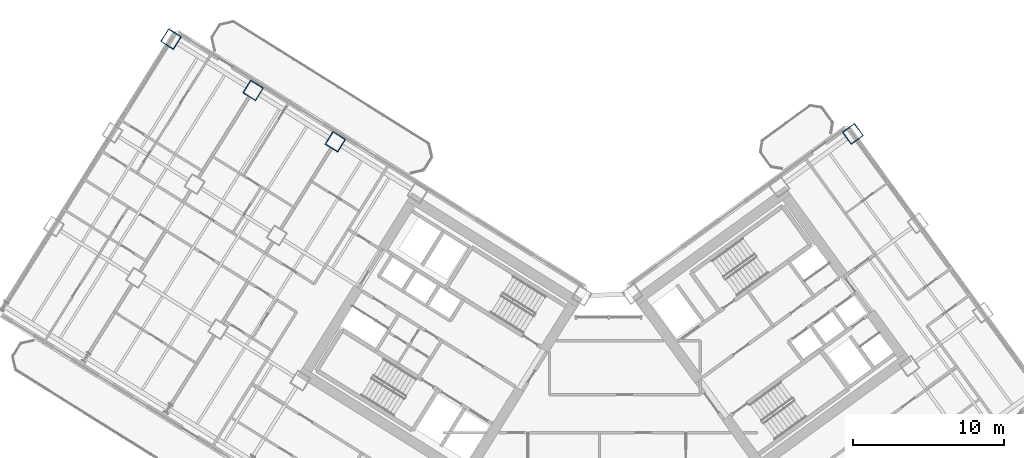
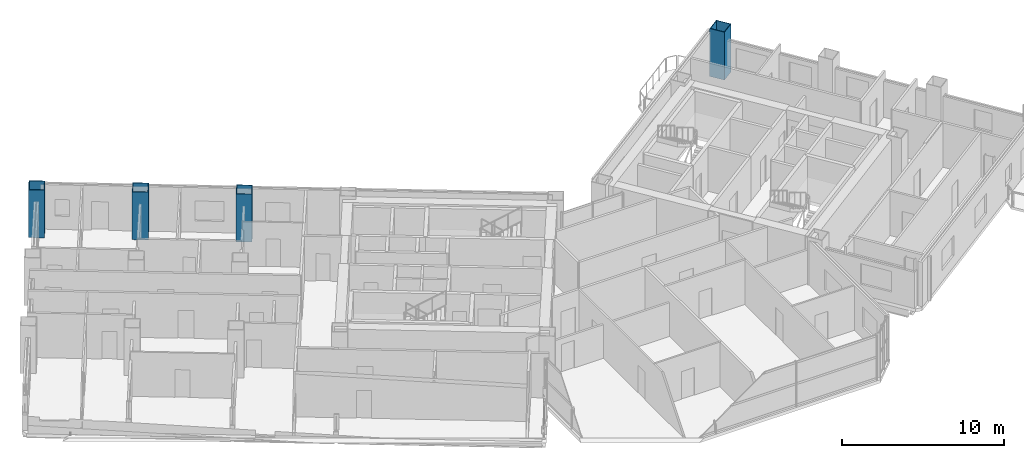
# One storey, part 3 of 28: 4 columns.
"""IFC4 building model written with IfcOpenShell, lengths in metres."""

import ifcopenshell
import ifcopenshell.guid

model = None  # the IFC model being written
_history = None  # IfcOwnerHistory: only IFC2X3 demands one
_inside = {}  # id of a spatial element -> (the spatial element, [elements in it])
_under = {}  # id of a project, library or spatial element -> (it, [spatial elements below it])
_declared = {}  # id of a project -> (the project, [libraries it declares])
_typed = {}  # id of a type object -> (the type object, [elements of that type])
_made_of = {}  # id of a material, layer set ... -> (it, [elements and type objects made of it])


def new_model(schema):
    """Start an empty IFC model of exactly this schema.

    Asked for "IFC4X3", IfcOpenShell would pick the latest addendum, in which some entities
    have other attributes; the version numbers below select the first issue.
    IFC2X3 requires an IfcOwnerHistory on every rooted entity: one is made here for all.
    """
    global model, _history
    if schema == "IFC4X3":
        model = ifcopenshell.file(schema_version=(4, 3, 0, 0))
    else:
        model = ifcopenshell.file(schema=schema)
    _inside.clear()
    _under.clear()
    _declared.clear()
    _typed.clear()
    _made_of.clear()
    _history = None
    if model.schema == "IFC2X3":
        org = make("IfcOrganization", Name="unknown")
        user = make(
            "IfcPersonAndOrganization",
            ThePerson=make("IfcPerson", FamilyName="unknown"),
            TheOrganization=org,
        )
        app = make(
            "IfcApplication",
            ApplicationDeveloper=org,
            Version="unknown",
            ApplicationFullName="unknown",
            ApplicationIdentifier="unknown",
        )
        _history = make(
            "IfcOwnerHistory",
            OwningUser=user,
            OwningApplication=app,
            ChangeAction="ADDED",
            CreationDate=0,
        )
    return model


def make(cls, **values):
    """One entity of the class cls with the attributes given. An attribute that is None is left unset."""
    return model.create_entity(
        cls, **{name: value for name, value in values.items() if value is not None}
    )


def rooted(cls, **values):
    """An entity with a GlobalId (a new one), such as an element, a storey or a relation."""
    return make(cls, GlobalId=ifcopenshell.guid.new(), OwnerHistory=_history, **values)


def si_unit(unit_type, name, prefix=None):
    """IfcSIUnit, for example si_unit("LENGTHUNIT", "METRE", prefix="MILLI")."""
    return make("IfcSIUnit", UnitType=unit_type, Prefix=prefix, Name=name)


def assignment(units):
    """IfcUnitAssignment: the units of a project."""
    return None if units is None else make("IfcUnitAssignment", Units=units)


def point(xyz):
    """IfcCartesianPoint."""
    return None if xyz is None else make("IfcCartesianPoint", Coordinates=xyz)


def direction(xyz):
    """IfcDirection."""
    return None if xyz is None else make("IfcDirection", DirectionRatios=xyz)


def frame(location, z_axis=None, x_axis=None):
    """IfcAxis2Placement3D, a coordinate frame: its origin and axes. An axis left out is left unset."""
    return make(
        "IfcAxis2Placement3D",
        Location=point(location),
        Axis=direction(z_axis),
        RefDirection=direction(x_axis),
    )


def frame_2d(location, x_axis=None):
    """IfcAxis2Placement2D, a coordinate frame in the plane: its origin and x axis."""
    return make(
        "IfcAxis2Placement2D", Location=point(location), RefDirection=direction(x_axis)
    )


def origin():
    """The frame at (0, 0, 0) with its axes left unset."""
    return frame((0.0, 0.0, 0.0))


def origin_2d():
    """The frame at (0, 0) in the plane with its x axis left unset."""
    return frame_2d((0.0, 0.0))


def place(relative_to, where):
    """IfcLocalPlacement: puts the frame where relative to a parent placement (None: the world)."""
    return make(
        "IfcLocalPlacement", PlacementRelTo=relative_to, RelativePlacement=where
    )


def context(
    kind, dimensions, precision=None, world=None, true_north=None, identifier=None
):
    """IfcGeometricRepresentationContext, for example the 3D "Model" context."""
    return make(
        "IfcGeometricRepresentationContext",
        ContextIdentifier=identifier,
        ContextType=kind,
        CoordinateSpaceDimension=dimensions,
        Precision=precision,
        WorldCoordinateSystem=world,
        TrueNorth=true_north,
    )


def subcontext(parent, identifier, kind, view, scale=None):
    """IfcGeometricRepresentationSubContext, for example "Body" below "Model"."""
    return make(
        "IfcGeometricRepresentationSubContext",
        ContextIdentifier=identifier,
        ContextType=kind,
        ParentContext=parent,
        TargetScale=scale,
        TargetView=view,
    )


def project(units=None, contexts=None):
    """IfcProject with its units and contexts."""
    return rooted(
        "IfcProject",
        Name="project",
        RepresentationContexts=contexts,
        UnitsInContext=assignment(units),
    )


def spatial(cls, under=None, at=None, **own):
    """A site, building, storey or space (cls), placed at a placement, below another one or the project."""
    s = rooted(cls, ObjectPlacement=at, **own)
    if under is not None:
        _under.setdefault(under.id(), (under, []))[1].append(s)
    return s


def profile(cls, at=None, kind="AREA", **sizes):
    """A parametric profile (cls). Its sizes go by their IFC names, for example OverallWidth=200.0."""
    return make(cls, ProfileType=kind, Position=at, **sizes)


def hollow_rectangle(**sizes):
    """IfcRectangleHollowProfileDef."""
    return profile("IfcRectangleHollowProfileDef", **sizes)


def extrude(swept, where, along, depth):
    """IfcExtrudedAreaSolid: the profile swept, set in the frame where, extruded along a direction by depth."""
    return make(
        "IfcExtrudedAreaSolid",
        SweptArea=swept,
        Position=where,
        ExtrudedDirection=direction(along),
        Depth=depth,
    )


def shape(context_of_items, identifier, shape_type, items):
    """IfcShapeRepresentation: the items that make up one representation, for example the "Body"."""
    return make(
        "IfcShapeRepresentation",
        ContextOfItems=context_of_items,
        RepresentationIdentifier=identifier,
        RepresentationType=shape_type,
        Items=items,
    )


def source(mapping_origin, context_of_items, identifier, shape_type, items):
    """IfcRepresentationMap: a shape defined once, which mapped items show again and again."""
    return make(
        "IfcRepresentationMap",
        MappingOrigin=mapping_origin,
        MappedRepresentation=shape(context_of_items, identifier, shape_type, items),
    )


def transform(
    local_origin,
    x_axis=None,
    y_axis=None,
    z_axis=None,
    scale=None,
    scale2=None,
    scale3=None,
    uniform=True,
):
    """IfcCartesianTransformationOperator3D, or its non-uniform kind. x_axis, y_axis, z_axis: its Axis1, 2, 3."""
    if uniform:
        return make(
            "IfcCartesianTransformationOperator3D",
            Axis1=direction(x_axis),
            Axis2=direction(y_axis),
            LocalOrigin=point(local_origin),
            Scale=scale,
            Axis3=direction(z_axis),
        )
    return make(
        "IfcCartesianTransformationOperator3DnonUniform",
        Axis1=direction(x_axis),
        Axis2=direction(y_axis),
        LocalOrigin=point(local_origin),
        Scale=scale,
        Axis3=direction(z_axis),
        Scale2=scale2,
        Scale3=scale3,
    )


def mapped(mapping_source, mapping_target):
    """IfcMappedItem: shows the shape of a source again, moved by a transform."""
    return make(
        "IfcMappedItem", MappingSource=mapping_source, MappingTarget=mapping_target
    )


def material(Name=None, Category=None):
    """IfcMaterial."""
    return make("IfcMaterial", Name=Name, Category=Category)


def material_profile(
    of_material, cross_section, Name=None, Category=None, Priority=None
):
    """IfcMaterialProfile: a cross section and its material."""
    return make(
        "IfcMaterialProfile",
        Name=Name,
        Material=of_material,
        Profile=cross_section,
        Priority=Priority,
        Category=Category,
    )


def profile_set(profiles, Name=None, composite=None):
    """IfcMaterialProfileSet."""
    return make(
        "IfcMaterialProfileSet",
        Name=Name,
        MaterialProfiles=profiles,
        CompositeProfile=composite,
    )


def made_of(thing, what):
    """Note that an element or type object is made of a material, layer set ...; save() writes the relation."""
    if what is not None:
        _made_of.setdefault(what.id(), (what, []))[1].append(thing)
    return thing


def type_object(cls, material=None, **own):
    """A type object (cls), such as IfcWallType, which elements share."""
    return made_of(rooted(cls, **own), material)


def element(
    cls,
    number,
    at=None,
    inside=None,
    cuts=None,
    type_object=None,
    material=None,
    context=None,
    identifier="Body",
    shape_type=None,
    held_by="IfcProductDefinitionShape",
    body=None,
    shapes=None,
    **own,
):
    """One element of the class cls, such as IfcWall. Its Tag is "e" and its number.

    at: its placement. inside: the storey or other place that contains it. cuts: it is an
    opening in that element (IfcRelVoidsElement). A single representation is given by context,
    identifier, shape_type and body (its items); several are given by shapes. held_by: the class
    of the entity that holds the representations. save() writes the other relations.
    """
    e = rooted(cls, Tag="e%d" % number, ObjectPlacement=at, **own)
    if body is not None:
        shapes = [shape(context, identifier, shape_type, body)]
    if shapes is not None:
        e.Representation = make(held_by, Representations=shapes)
    if inside is not None:
        _inside.setdefault(inside.id(), (inside, []))[1].append(e)
    if cuts is not None:
        rooted(
            "IfcRelVoidsElement", RelatingBuildingElement=cuts, RelatedOpeningElement=e
        )
    if type_object is not None:
        _typed.setdefault(type_object.id(), (type_object, []))[1].append(e)
    return made_of(e, material)


def aggregate(whole, parts):
    """IfcRelAggregates: a whole, such as a stair, and the parts it consists of."""
    return rooted("IfcRelAggregates", RelatingObject=whole, RelatedObjects=parts)


def save(model, path):
    """Write the relations noted so far, then the file.

    IfcRelAggregates (storeys below a building ...), IfcRelContainedInSpatialStructure (elements
    in a storey), IfcRelDefinesByType, IfcRelAssociatesMaterial and IfcRelDeclares: one each for
    every whole, place, type object, material and project.
    """
    for whole, parts in _under.values():
        aggregate(whole, parts)
    for where, things in _inside.values():
        rooted(
            "IfcRelContainedInSpatialStructure",
            RelatedElements=things,
            RelatingStructure=where,
        )
    for kind, things in _typed.values():
        rooted("IfcRelDefinesByType", RelatedObjects=things, RelatingType=kind)
    for what, things in _made_of.values():
        rooted("IfcRelAssociatesMaterial", RelatedObjects=things, RelatingMaterial=what)
    for by, libraries in _declared.values():
        rooted("IfcRelDeclares", RelatingContext=by, RelatedDefinitions=libraries)
    model.write(path)


model = new_model("IFC4")

# Units and contexts
model_context = context("Model", 3, precision=1e-05, world=origin(), true_north=direction((0.0, 1.0)))
body_context = subcontext(model_context, "Body", "Model", "MODEL_VIEW")
ifc_project = project(units=[si_unit("LENGTHUNIT", "METRE"), si_unit("AREAUNIT", "SQUARE_METRE"), si_unit("VOLUMEUNIT", "CUBIC_METRE"), si_unit("PLANEANGLEUNIT", "RADIAN"), si_unit("MASSUNIT", "GRAM", prefix="KILO")], contexts=[model_context])

# Site, building, storey
site_placement = place(None, origin())
site = spatial("IfcSite", under=ifc_project, at=site_placement, CompositionType="ELEMENT")
building_placement = place(site_placement, origin())
building = spatial("IfcBuilding", under=site, at=building_placement, Name="Tlacorven Tower", CompositionType="ELEMENT")
storey_placement = place(building_placement, frame((0.0, 0.0, 49.199951171875)))
storey = spatial("IfcBuildingStorey", under=building, at=storey_placement, Name="L12", CompositionType="ELEMENT", Elevation=49.199951171875)

# Columns
ifc_material = material(Name="Steel S460M", Category="steel")
ifc_material_profile = material_profile(ifc_material, hollow_rectangle(XDim=1.0, YDim=1.0, WallThickness=0.0400390625, at=origin_2d()), Name="BOX 1000X1000X40")
ifc_profile_set = profile_set([ifc_material_profile], Name="Steel S460M")
column_type = type_object("IfcColumnType", Name="COL-TWR-S1", PredefinedType="COLUMN", material=ifc_profile_set)
shared_shape = source(origin(), body_context, "Body", "SweptSolid", [
    extrude(hollow_rectangle(XDim=1.0, YDim=1.0, WallThickness=0.0400390625, at=origin_2d()), origin(), (0.0, 0.0, 1.0), 3.60009765625),
])
for number, where, z_axis, x_axis, name in (
    (1, (24.50048828125, 34.642822265625, 0.0), (0.0, 0.0, 1.0), (-0.848048096156, 0.529919264233, 0.0), "L12 column COL-L12-W4-1"),
    (2, (19.072998046875, 38.034423828125, 0.0), (0.0, 0.0, 1.0), (-0.848048096156, 0.529919264233, 0.0), "L12 column COL-L12-W5-1"),
    (3, (13.6455078125, 41.42578125, 0.0), (0.0, 0.0, 1.0), (-0.848048096156, 0.529919264233, 0.0), "L12 column COL-L12-W6-1"),
    (4, (58.68603515625, 35.165283203125, 0.0), (0.0, 0.0, 1.0), (0.809016994375, 0.587785252292, 0.0), "L12 column COL-L12-E4-4"),
):
    element("IfcColumn", number, at=place(storey_placement, frame(where, z_axis=z_axis, x_axis=x_axis)), inside=storey, type_object=column_type, Name=name, PredefinedType="COLUMN", context=body_context, shape_type="MappedRepresentation", body=[
        mapped(shared_shape, transform((0.0, 0.0, 0.0), scale=1.0)),
    ])

save(model, "model.ifc")
